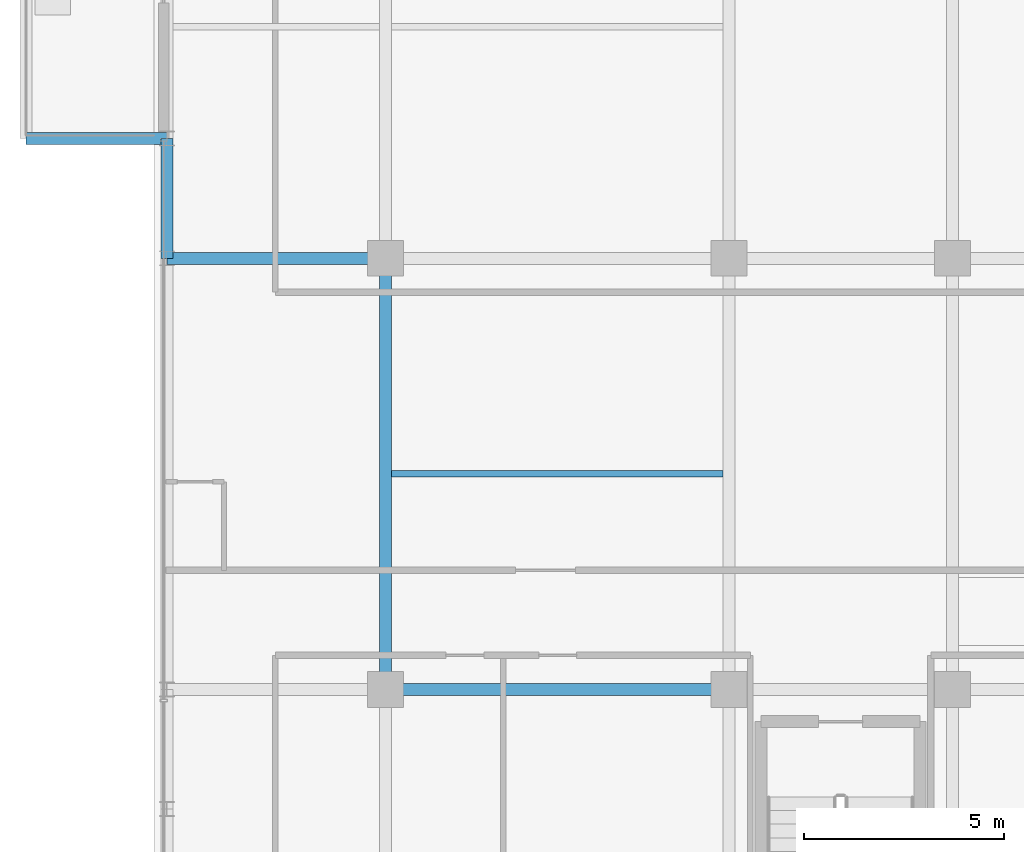
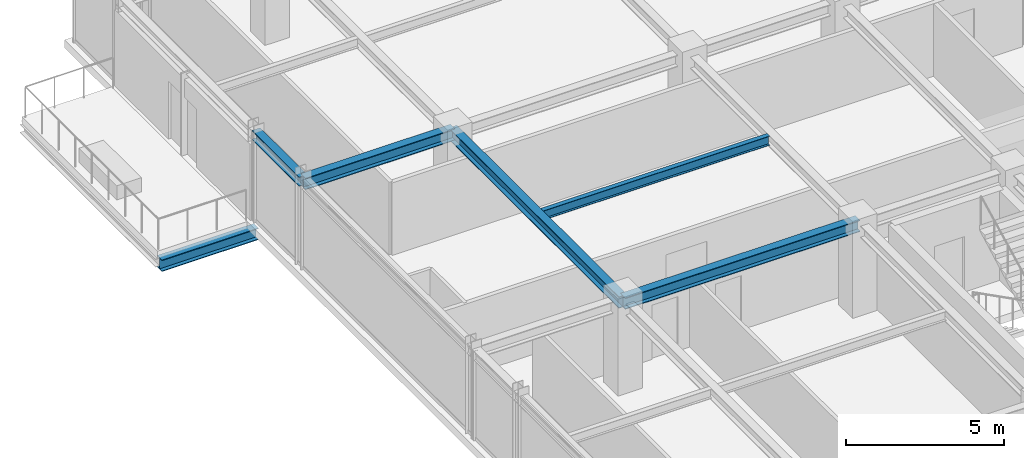
# One storey, part 9 of 34: 6 beams.
"""IFC4 building model written with IfcOpenShell, lengths in metres."""

from ifc_helpers import new_model, si_unit, direction, frame, origin, origin_2d, place, context, subcontext, project, spatial, i_section, extrude, source, transform, mapped, material, material_profile, profile_set, type_object, element, save


model = new_model("IFC4")

# Units and contexts
model_context = context("Model", 3, precision=1e-05, world=origin(), true_north=direction((0.0, 1.0)))
body_context = subcontext(model_context, "Body", "Model", "MODEL_VIEW")
ifc_project = project(units=[si_unit("LENGTHUNIT", "METRE"), si_unit("AREAUNIT", "SQUARE_METRE"), si_unit("VOLUMEUNIT", "CUBIC_METRE"), si_unit("PLANEANGLEUNIT", "RADIAN"), si_unit("MASSUNIT", "GRAM", prefix="KILO")], contexts=[model_context])

# Site, building, storey
site_placement = place(None, origin())
site = spatial("IfcSite", under=ifc_project, at=site_placement, CompositionType="ELEMENT")
building_placement = place(site_placement, origin())
building = spatial("IfcBuilding", under=site, at=building_placement, Name="Nahalor Promenade Grand Hotel", CompositionType="ELEMENT")
storey_placement = place(building_placement, frame((0.0, 0.0, 334.75)))
storey = spatial("IfcBuildingStorey", under=building, at=storey_placement, Name="L86", CompositionType="ELEMENT", Elevation=334.75)

# Beams
ifc_material = material(Name="Steel S355JR", Category="steel")
ifc_material_profile_1 = material_profile(ifc_material, i_section(OverallWidth=0.3, OverallDepth=0.45, WebThickness=0.014, FlangeThickness=0.026, at=origin_2d()), Name="HEB 450")
ifc_profile_set_1 = profile_set([ifc_material_profile_1], Name="Steel S355JR")
beam_type_1 = type_object("IfcBeamType", Name="Beam-Outrigger-HEB450", PredefinedType="BEAM", material=ifc_profile_set_1)
shared_shape_1 = source(origin(), body_context, "Body", "SweptSolid", [
    extrude(i_section(OverallWidth=0.3, OverallDepth=0.45, WebThickness=0.014, FlangeThickness=0.026, at=origin_2d()), origin(), (0.0, 0.0, 1.0), 3.530029296875),
])
beam_1_placement = place(storey_placement, frame((-26.010009765625, 8.39990234375, -0.5048828125), z_axis=(1.0, 0.0, 0.0), x_axis=(0.0, 1.0, 0.0)))
element("IfcBeam", 1, at=beam_1_placement, inside=storey, type_object=beam_type_1, Name="BM-L86-BC-02-1", PredefinedType="BEAM", context=body_context, shape_type="MappedRepresentation", body=[
    mapped(shared_shape_1, transform((0.0, 0.0, 0.0), scale=1.0)),
])
ifc_material_profile_2 = material_profile(ifc_material, i_section(OverallWidth=0.3, OverallDepth=0.45, WebThickness=0.014, FlangeThickness=0.026, at=origin_2d()), Name="HEB 450")
ifc_profile_set_2 = profile_set([ifc_material_profile_2], Name="Steel S355JR")
beam_type_2 = type_object("IfcBeamType", Name="Beam-Girder-HEB450", PredefinedType="BEAM", material=ifc_profile_set_2)
shared_shape_2 = source(origin(), body_context, "Body", "SweptSolid", [
    extrude(i_section(OverallWidth=0.3, OverallDepth=0.45, WebThickness=0.014, FlangeThickness=0.026, at=origin_2d()), origin(), (0.0, 0.0, 1.0), 8.60009765625),
])
beam_2_placement = place(storey_placement, frame((-17.0, -5.39990234375, 3.2451171875), z_axis=(1.0, 0.0, 0.0), x_axis=(0.0, 1.0, 0.0)))
element("IfcBeam", 2, at=beam_2_placement, inside=storey, type_object=beam_type_2, Name="BM-L86-GX-1-1", PredefinedType="BEAM", context=body_context, shape_type="MappedRepresentation", body=[
    mapped(shared_shape_2, transform((0.0, 0.0, 0.0), scale=1.0)),
])
shared_shape_3 = source(origin(), body_context, "Body", "SweptSolid", [
    extrude(i_section(OverallWidth=0.3, OverallDepth=0.45, WebThickness=0.014, FlangeThickness=0.026, at=origin_2d()), origin(), (0.0, 0.0, 1.0), 10.7998046875),
])
beam_3_placement = place(storey_placement, frame((-17.0, -5.39990234375, 3.2451171875), z_axis=(0.0, 1.0, 0.0), x_axis=(-1.0, 0.0, 0.0)))
element("IfcBeam", 3, at=beam_3_placement, inside=storey, type_object=beam_type_2, Name="BM-L86-GY-0-2", PredefinedType="BEAM", context=body_context, shape_type="MappedRepresentation", body=[
    mapped(shared_shape_3, transform((0.0, 0.0, 0.0), scale=1.0)),
])
shared_shape_4 = source(origin(), body_context, "Body", "SweptSolid", [
    extrude(i_section(OverallWidth=0.3, OverallDepth=0.45, WebThickness=0.014, FlangeThickness=0.026, at=origin_2d()), origin(), (0.0, 0.0, 1.0), 5.47998046875),
])
beam_4_placement = place(storey_placement, frame((-22.47998046875, 5.39990234375, 3.2451171875), z_axis=(1.0, 0.0, 0.0), x_axis=(0.0, 1.0, 0.0)))
element("IfcBeam", 4, at=beam_4_placement, inside=storey, type_object=beam_type_2, Name="BM-L86-GX-2-0", PredefinedType="BEAM", context=body_context, shape_type="MappedRepresentation", body=[
    mapped(shared_shape_4, transform((0.0, 0.0, 0.0), scale=1.0)),
])
ifc_material_profile_3 = material_profile(ifc_material, i_section(OverallWidth=0.3, OverallDepth=0.36, WebThickness=0.0125, FlangeThickness=0.0225, at=origin_2d()), Name="HEB 360")
ifc_profile_set_3 = profile_set([ifc_material_profile_3], Name="Steel S355JR")
beam_type_3 = type_object("IfcBeamType", Name="Beam-Spandrel-HEB360", PredefinedType="SPANDREL", material=ifc_profile_set_3)
shared_shape_5 = source(origin(), body_context, "Body", "SweptSolid", [
    extrude(i_section(OverallWidth=0.3, OverallDepth=0.36, WebThickness=0.0125, FlangeThickness=0.0225, at=origin_2d()), origin(), (0.0, 0.0, 1.0), 3.0),
])
beam_5_placement = place(storey_placement, frame((-22.47998046875, 5.39990234375, 3.2900390625), z_axis=(0.0, 1.0, 0.0), x_axis=(-1.0, 0.0, 0.0)))
element("IfcBeam", 5, at=beam_5_placement, inside=storey, type_object=beam_type_3, Name="BM-L86-SP-W-3", PredefinedType="SPANDREL", context=body_context, shape_type="MappedRepresentation", body=[
    mapped(shared_shape_5, transform((0.0, 0.0, 0.0), scale=1.0)),
])
ifc_material_profile_4 = material_profile(ifc_material, i_section(OverallWidth=0.17, OverallDepth=0.36, WebThickness=0.008, FlangeThickness=0.0127, at=origin_2d()), Name="IPE 360")
ifc_profile_set_4 = profile_set([ifc_material_profile_4], Name="Steel S355JR")
beam_type_4 = type_object("IfcBeamType", Name="Beam-Joist-IPE360", PredefinedType="JOIST", material=ifc_profile_set_4)
shared_shape_6 = source(origin(), body_context, "Body", "SweptSolid", [
    extrude(i_section(OverallWidth=0.17, OverallDepth=0.36, WebThickness=0.008, FlangeThickness=0.0127, at=origin_2d()), origin(), (0.0, 0.0, 1.0), 8.300048828125),
])
beam_6_placement = place(storey_placement, frame((-16.85009765625, 0.0, 3.2900390625), z_axis=(1.0, 0.0, 0.0), x_axis=(0.0, 1.0, 0.0)))
element("IfcBeam", 6, at=beam_6_placement, inside=storey, type_object=beam_type_4, Name="BM-L86-JSC-0", PredefinedType="JOIST", context=body_context, shape_type="MappedRepresentation", body=[
    mapped(shared_shape_6, transform((0.0, 0.0, 0.0), scale=1.0)),
])

save(model, "model.ifc")
